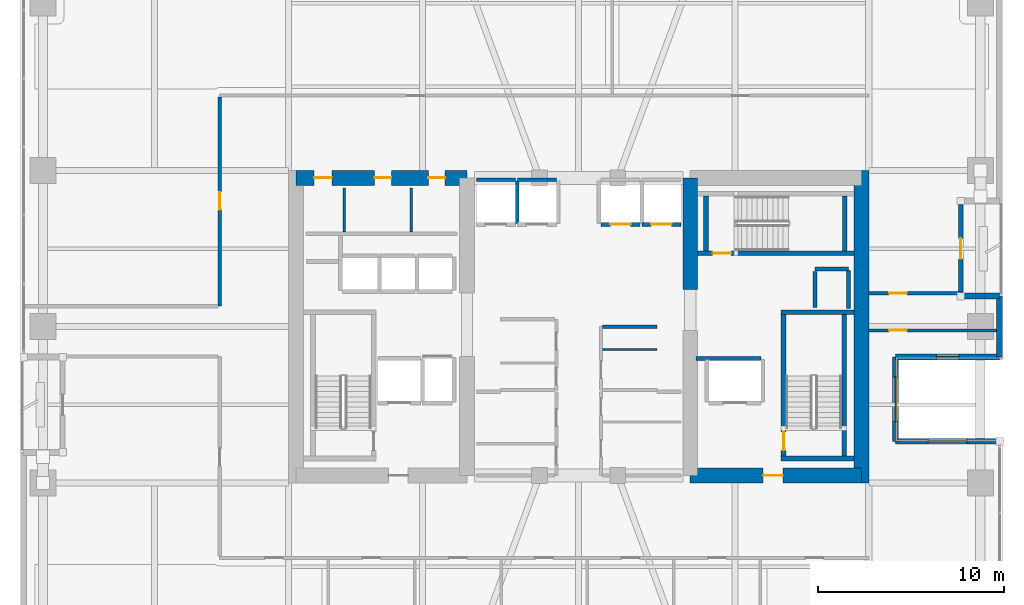
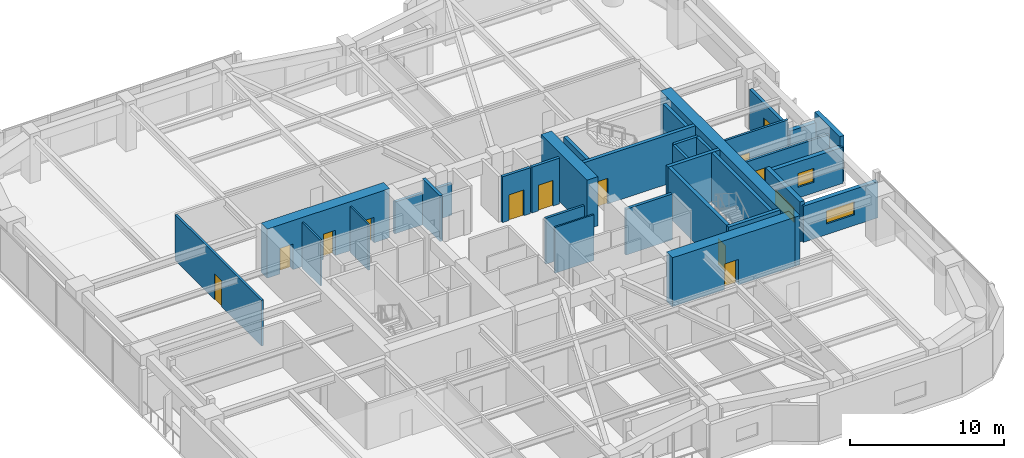
# One storey, part 20 of 24: 33 walls, 12 doors, 3 windows, 15 openings.
"""IFC4 building model written with IfcOpenShell, lengths in metres."""

from ifc_helpers import new_model, si_unit, direction, frame, frame_2d, origin, place, context, subcontext, project, spatial, rectangle, extrude, material, layer, layer_set, type_object, element, fill, save


model = new_model("IFC4")

# Units and contexts
model_context = context("Model", 3, precision=1e-05, world=origin(), true_north=direction((0.0, 1.0)))
body_context = subcontext(model_context, "Body", "Model", "MODEL_VIEW")
ifc_project = project(units=[si_unit("LENGTHUNIT", "METRE"), si_unit("AREAUNIT", "SQUARE_METRE"), si_unit("VOLUMEUNIT", "CUBIC_METRE"), si_unit("PLANEANGLEUNIT", "RADIAN"), si_unit("MASSUNIT", "GRAM", prefix="KILO")], contexts=[model_context])

# Site, building, storey
site_placement = place(None, origin())
site = spatial("IfcSite", under=ifc_project, at=site_placement, CompositionType="ELEMENT")
building_placement = place(site_placement, origin())
building = spatial("IfcBuilding", under=site, at=building_placement, Name="Kiyonajd Concourse Tower", CompositionType="ELEMENT")
storey_placement = place(building_placement, frame((0.0, 0.0, 129.89990234375)))
storey = spatial("IfcBuildingStorey", under=building, at=storey_placement, Name="L33", CompositionType="ELEMENT", Elevation=129.89990234375)

# Wall, openings, doors
ifc_material_1 = material(Name="Concrete C70/85", Category="concrete")
ifc_layer_1 = layer(ifc_material_1, 0.800048828125)
ifc_layer_set_1 = layer_set([ifc_layer_1], Name="Concrete C70/85")
wall_type_1 = type_object("IfcWallType", Name="WL-CORE-800", PredefinedType="SHEAR", material=ifc_layer_set_1)
wall_1_placement = place(storey_placement, frame((32.800048828125, 44.0, 0.0), z_axis=(0.0, 0.0, 1.0), x_axis=(1.0, 0.0, 0.0)))
wall_1 = element("IfcWall", 1, at=wall_1_placement, inside=storey, type_object=wall_type_1, Name="L33 West Core North Shear Wall", PredefinedType="SHEAR", context=body_context, shape_type="SweptSolid", body=[
    extrude(rectangle(XDim=9.199951171875, YDim=0.800048828125, at=frame_2d((4.60009765625, 0.0))), origin(), (0.0, 0.0, 1.0), 3.900146484375),
])
opening_1_placement = place(wall_1_placement, frame((0.97509765625, 0.0, 0.0)))
opening_1 = element("IfcOpeningElement", 2, at=opening_1_placement, cuts=wall_1, Name="Opening DI1", PredefinedType="OPENING", context=body_context, shape_type="SweptSolid", body=[
    extrude(rectangle(XDim=0.949951171875, YDim=2.0400390625, at=frame_2d((0.47509765625, 1.02001953125))), frame((0.0, 0.409912109375, 0.0), z_axis=(0.0, -1.0, 0.0), x_axis=(1.0, 0.0, 0.0)), (0.0, 0.0, 1.0), 0.820068359375),
])
opening_2_placement = place(wall_1_placement, frame((4.22509765625, 0.0, 0.0)))
opening_2 = element("IfcOpeningElement", 3, at=opening_2_placement, cuts=wall_1, Name="Opening DI2", PredefinedType="OPENING", context=body_context, shape_type="SweptSolid", body=[
    extrude(rectangle(XDim=0.89990234375, YDim=2.02001953125, at=frame_2d((0.449951171875, 1.010009765625))), frame((0.0, 0.409912109375, 0.0), z_axis=(0.0, -1.0, 0.0), x_axis=(1.0, 0.0, 0.0)), (0.0, 0.0, 1.0), 0.820068359375),
])
opening_3_placement = place(wall_1_placement, frame((7.125, 0.0, 0.0)))
opening_3 = element("IfcOpeningElement", 4, at=opening_3_placement, cuts=wall_1, Name="Opening DI2", PredefinedType="OPENING", context=body_context, shape_type="SweptSolid", body=[
    extrude(rectangle(XDim=0.89990234375, YDim=2.02001953125, at=frame_2d((0.449951171875, 1.010009765625))), frame((0.0, 0.409912109375, 0.0), z_axis=(0.0, -1.0, 0.0), x_axis=(1.0, 0.0, 0.0)), (0.0, 0.0, 1.0), 0.820068359375),
])
ifc_material_2 = material(Name="Natural Oak Acoustic Timber Veneer", Category="wood")
door_type_1 = type_object("IfcDoorType", Name="DR-INT-900", OperationType="NOTDEFINED", PredefinedType="DOOR", material=ifc_material_2)
door_1_placement = place(opening_2_placement, origin())
door_1 = element("IfcDoor", 5, at=door_1_placement, inside=storey, type_object=door_type_1, Name="L33 Male Restroom Door", OperationType="SINGLE_SWING_RIGHT", OverallHeight=2.02001953125, OverallWidth=0.89990234375, PredefinedType="DOOR", context=body_context, shape_type="SweptSolid", body=[
    extrude(rectangle(XDim=0.89990234375, YDim=2.02001953125, at=frame_2d((0.449951171875, 1.010009765625))), frame((0.0, 0.02490234375, 0.0), z_axis=(0.0, -1.0, 0.0), x_axis=(1.0, 0.0, 0.0)), (0.0, 0.0, 1.0), 0.050048828125),
])
fill(opening_2, door_1)
door_2_placement = place(opening_3_placement, origin())
door_2 = element("IfcDoor", 6, at=door_2_placement, inside=storey, type_object=door_type_1, Name="L33 Female Restroom Door", OperationType="SINGLE_SWING_LEFT", OverallHeight=2.02001953125, OverallWidth=0.89990234375, PredefinedType="DOOR", context=body_context, shape_type="SweptSolid", body=[
    extrude(rectangle(XDim=0.89990234375, YDim=2.02001953125, at=frame_2d((0.449951171875, 1.010009765625))), frame((0.0, 0.02490234375, 0.0), z_axis=(0.0, -1.0, 0.0), x_axis=(1.0, 0.0, 0.0)), (0.0, 0.0, 1.0), 0.050048828125),
])
fill(opening_3, door_2)
door_type_2 = type_object("IfcDoorType", Name="DR-INT-950", OperationType="NOTDEFINED", PredefinedType="DOOR", material=ifc_material_2)
door_3_placement = place(opening_1_placement, origin())
door_3 = element("IfcDoor", 7, at=door_3_placement, inside=storey, type_object=door_type_2, Name="L33 Single User Accessible WC Door", OperationType="SINGLE_SWING_LEFT", OverallHeight=2.0400390625, OverallWidth=0.949951171875, PredefinedType="DOOR", context=body_context, shape_type="SweptSolid", body=[
    extrude(rectangle(XDim=0.949951171875, YDim=2.0400390625, at=frame_2d((0.47509765625, 1.02001953125))), frame((0.0, 0.02490234375, 0.0), z_axis=(0.0, -1.0, 0.0), x_axis=(1.0, 0.0, 0.0)), (0.0, 0.0, 1.0), 0.050048828125),
])
fill(opening_1, door_3)

# Walls
wall_2_placement = place(storey_placement, frame((54.0, 38.0, 0.0), z_axis=(0.0, 0.0, 1.0), x_axis=(0.0, 1.0, 0.0)))
element("IfcWall", 8, at=wall_2_placement, inside=storey, type_object=wall_type_1, Name="L33 East Core Inner North Shear Wall", PredefinedType="SHEAR", context=body_context, shape_type="SweptSolid", body=[
    extrude(rectangle(XDim=6.0, YDim=0.800048828125, at=frame_2d((3.0, 0.0))), origin(), (0.0, 0.0, 1.0), 3.900146484375),
])
wall_3_placement = place(storey_placement, frame((63.199951171875, 27.60009765625, 0.0), z_axis=(0.0, 0.0, 1.0), x_axis=(0.0, 1.0, 0.0)))
element("IfcWall", 9, at=wall_3_placement, inside=storey, type_object=wall_type_1, Name="L33 East Core Outer Shear Wall", PredefinedType="SHEAR", context=body_context, shape_type="SweptSolid", body=[
    extrude(rectangle(XDim=16.7998046875, YDim=0.800048828125, at=frame_2d((8.39990234375, 0.0))), origin(), (0.0, 0.0, 1.0), 3.900146484375),
])

# Wall, opening, door
wall_4_placement = place(storey_placement, frame((54.0, 28.0, 0.0), z_axis=(0.0, 0.0, 1.0), x_axis=(1.0, 0.0, 0.0)))
wall_4 = element("IfcWall", 10, at=wall_4_placement, inside=storey, type_object=wall_type_1, Name="L33 East Core South Shear Wall", PredefinedType="SHEAR", context=body_context, shape_type="SweptSolid", body=[
    extrude(rectangle(XDim=9.199951171875, YDim=0.800048828125, at=frame_2d((4.60009765625, 0.0))), origin(), (0.0, 0.0, 1.0), 3.900146484375),
])
opening_4_placement = place(wall_4_placement, frame((3.925048828125, 0.0, 0.0)))
opening_4 = element("IfcOpeningElement", 11, at=opening_4_placement, cuts=wall_4, Name="Opening DF5", PredefinedType="OPENING", context=body_context, shape_type="SweptSolid", body=[
    extrude(rectangle(XDim=1.050048828125, YDim=2.0400390625, at=frame_2d((0.52490234375, 1.02001953125))), frame((0.0, 0.409912109375, 0.0), z_axis=(0.0, -1.0, 0.0), x_axis=(1.0, 0.0, 0.0)), (0.0, 0.0, 1.0), 0.820068359375),
])
ifc_material_3 = material(Name="Brushed Stainless Steel Cab Assembly", Category="steel")
door_type_3 = type_object("IfcDoorType", Name="DR-FD45-1050", OperationType="NOTDEFINED", PredefinedType="DOOR", material=ifc_material_3)
door_4_placement = place(opening_4_placement, origin())
door_4 = element("IfcDoor", 12, at=door_4_placement, inside=storey, type_object=door_type_3, Name="L33 Firefighting Lift Lobby E Smoke Door", OperationType="SINGLE_SWING_RIGHT", OverallHeight=2.0400390625, OverallWidth=1.050048828125, PredefinedType="DOOR", context=body_context, shape_type="SweptSolid", body=[
    extrude(rectangle(XDim=1.050048828125, YDim=2.0400390625, at=frame_2d((0.52490234375, 1.02001953125))), frame((0.0, 0.02490234375, 0.0), z_axis=(0.0, -1.0, 0.0), x_axis=(1.0, 0.0, 0.0)), (0.0, 0.0, 1.0), 0.050048828125),
])
fill(opening_4, door_4)

# Walls
ifc_material_4 = material(Name="Precast concrete C50/60", Category="concrete")
ifc_layer_2 = layer(ifc_material_4, 0.320068359375)
ifc_layer_set_2 = layer_set([ifc_layer_2], Name="Precast concrete C50/60")
wall_type_2 = type_object("IfcWallType", Name="WL-EXT-320", PredefinedType="SOLIDWALL", material=ifc_layer_set_2)
wall_5_placement = place(storey_placement, frame((68.5400390625, 37.639892578125, 0.0), z_axis=(0.0, 0.0, 1.0), x_axis=(1.0, 0.0, 0.0)))
element("IfcWall", 13, at=wall_5_placement, inside=storey, type_object=wall_type_2, Name="L33 Exterior Concrete Frame Wall 22", PredefinedType="SOLIDWALL", context=body_context, shape_type="SweptSolid", body=[
    extrude(rectangle(XDim=2.099853515625, YDim=0.320068359375, at=frame_2d((1.0498046875, 0.0))), origin(), (0.0, 0.0, 1.0), 2.875),
])
wall_6_placement = place(storey_placement, frame((70.639892578125, 37.639892578125, 0.0), z_axis=(0.0, 0.0, 1.0), x_axis=(0.0, -1.0, 0.0)))
element("IfcWall", 14, at=wall_6_placement, inside=storey, type_object=wall_type_2, Name="L33 Exterior Concrete Frame Wall 23", PredefinedType="SOLIDWALL", context=body_context, shape_type="SweptSolid", body=[
    extrude(rectangle(XDim=3.27978515625, YDim=0.320068359375, at=frame_2d((1.639892578125, 0.0))), origin(), (0.0, 0.0, 1.0), 3.64013671875),
])

# Wall, opening, window
wall_7_placement = place(storey_placement, frame((70.639892578125, 34.360107421875, 0.0), z_axis=(0.0, 0.0, 1.0), x_axis=(-1.0, 0.0, 0.0)))
wall_7 = element("IfcWall", 15, at=wall_7_placement, inside=storey, type_object=wall_type_2, Name="L33 Exterior Concrete Frame Wall 24", PredefinedType="SOLIDWALL", context=body_context, shape_type="SweptSolid", body=[
    extrude(rectangle(XDim=5.599853515625, YDim=0.320068359375, at=frame_2d((2.7998046875, 0.0))), origin(), (0.0, 0.0, 1.0), 2.875),
])
opening_5_placement = place(wall_7_placement, frame((2.199951171875, 0.0, 0.85009765625)))
opening_5 = element("IfcOpeningElement", 16, at=opening_5_placement, cuts=wall_7, Name="Opening WN3", PredefinedType="OPENING", context=body_context, shape_type="SweptSolid", body=[
    extrude(rectangle(XDim=1.199951171875, YDim=1.10009765625, at=frame_2d((0.60009765625, 0.550048828125))), frame((0.0, 0.169921875, 0.0), z_axis=(0.0, -1.0, 0.0), x_axis=(1.0, 0.0, 0.0)), (0.0, 0.0, 1.0), 0.340087890625),
])
ifc_material_5 = material(Name="Double Low-E Insulated Glass", Category="glass")
window_type_1 = type_object("IfcWindowType", Name="WN-VIS-1200x1100", PartitioningType="SINGLE_PANEL", PredefinedType="WINDOW", material=ifc_material_5)
window_1_placement = place(opening_5_placement, origin())
window_1 = element("IfcWindow", 17, at=window_1_placement, inside=storey, type_object=window_type_1, Name="L33 Modular Facade Vision Window 24", OverallHeight=1.10009765625, OverallWidth=1.199951171875, PartitioningType="SINGLE_PANEL", PredefinedType="WINDOW", context=body_context, shape_type="SweptSolid", body=[
    extrude(rectangle(XDim=1.199951171875, YDim=1.10009765625, at=frame_2d((0.60009765625, 0.550048828125))), frame((0.0, 0.030029296875, 0.0), z_axis=(0.0, -1.0, 0.0), x_axis=(1.0, 0.0, 0.0)), (0.0, 0.0, 1.0), 0.06005859375),
])
fill(opening_5, window_1)

wall_8_placement = place(storey_placement, frame((65.0400390625, 34.360107421875, 0.0), z_axis=(0.0, 0.0, 1.0), x_axis=(0.0, -1.0, 0.0)))
wall_8 = element("IfcWall", 18, at=wall_8_placement, inside=storey, type_object=wall_type_2, Name="L33 Exterior Concrete Frame Wall 25", PredefinedType="SOLIDWALL", context=body_context, shape_type="SweptSolid", body=[
    extrude(rectangle(XDim=4.52001953125, YDim=0.320068359375, at=frame_2d((2.260009765625, 0.0))), origin(), (0.0, 0.0, 1.0), 3.162109375),
])
opening_6_placement = place(wall_8_placement, frame((1.06005859375, 0.0, 0.85009765625)))
opening_6 = element("IfcOpeningElement", 19, at=opening_6_placement, cuts=wall_8, Name="Opening WN4", PredefinedType="OPENING", context=body_context, shape_type="SweptSolid", body=[
    extrude(rectangle(XDim=2.39990234375, YDim=1.14990234375, at=frame_2d((1.199951171875, 0.574951171875))), frame((0.0, 0.169921875, 0.0), z_axis=(0.0, -1.0, 0.0), x_axis=(1.0, 0.0, 0.0)), (0.0, 0.0, 1.0), 0.340087890625),
])
window_type_2 = type_object("IfcWindowType", Name="WN-VIS-2400x1150", PartitioningType="SINGLE_PANEL", PredefinedType="WINDOW", material=ifc_material_5)
window_2_placement = place(opening_6_placement, origin())
window_2 = element("IfcWindow", 20, at=window_2_placement, inside=storey, type_object=window_type_2, Name="L33 Modular Facade Vision Window 25", OverallHeight=1.14990234375, OverallWidth=2.39990234375, PartitioningType="SINGLE_PANEL", PredefinedType="WINDOW", context=body_context, shape_type="SweptSolid", body=[
    extrude(rectangle(XDim=2.39990234375, YDim=1.14990234375, at=frame_2d((1.199951171875, 0.574951171875))), frame((0.0, 0.030029296875, 0.0), z_axis=(0.0, -1.0, 0.0), x_axis=(1.0, 0.0, 0.0)), (0.0, 0.0, 1.0), 0.06005859375),
])
fill(opening_6, window_2)

wall_9_placement = place(storey_placement, frame((65.0400390625, 29.840087890625, 0.0), z_axis=(0.0, 0.0, 1.0), x_axis=(1.0, 0.0, 0.0)))
wall_9 = element("IfcWall", 21, at=wall_9_placement, inside=storey, type_object=wall_type_2, Name="L33 Exterior Concrete Frame Wall 26", PredefinedType="SOLIDWALL", context=body_context, shape_type="SweptSolid", body=[
    extrude(rectangle(XDim=5.599853515625, YDim=0.320068359375, at=frame_2d((2.7998046875, 0.0))), origin(), (0.0, 0.0, 1.0), 2.875),
])
opening_7_placement = place(wall_9_placement, frame((1.75, 0.0, 0.85009765625)))
opening_7 = element("IfcOpeningElement", 22, at=opening_7_placement, cuts=wall_9, Name="Opening WN5", PredefinedType="OPENING", context=body_context, shape_type="SweptSolid", body=[
    extrude(rectangle(XDim=2.10009765625, YDim=1.050048828125, at=frame_2d((1.050048828125, 0.52490234375))), frame((0.0, 0.169921875, 0.0), z_axis=(0.0, -1.0, 0.0), x_axis=(1.0, 0.0, 0.0)), (0.0, 0.0, 1.0), 0.340087890625),
])
window_type_3 = type_object("IfcWindowType", Name="WN-VIS-2100x1050", PartitioningType="SINGLE_PANEL", PredefinedType="WINDOW", material=ifc_material_5)
window_3_placement = place(opening_7_placement, origin())
window_3 = element("IfcWindow", 23, at=window_3_placement, inside=storey, type_object=window_type_3, Name="L33 Modular Facade Vision Window 26", OverallHeight=1.050048828125, OverallWidth=2.10009765625, PartitioningType="SINGLE_PANEL", PredefinedType="WINDOW", context=body_context, shape_type="SweptSolid", body=[
    extrude(rectangle(XDim=2.10009765625, YDim=1.050048828125, at=frame_2d((1.050048828125, 0.52490234375))), frame((0.0, 0.030029296875, 0.0), z_axis=(0.0, -1.0, 0.0), x_axis=(1.0, 0.0, 0.0)), (0.0, 0.0, 1.0), 0.06005859375),
])
fill(opening_7, window_3)

# Wall, opening, door
ifc_layer_3 = layer(ifc_material_4, 0.239990234375)
ifc_layer_set_3 = layer_set([ifc_layer_3], Name="Precast concrete C50/60")
wall_type_3 = type_object("IfcWallType", Name="WL-LOG-240", PredefinedType="SOLIDWALL", material=ifc_layer_set_3)
wall_10_placement = place(storey_placement, frame((68.5400390625, 42.56494140625, 0.0), z_axis=(0.0, 0.0, 1.0), x_axis=(0.0, -1.0, 0.0)))
wall_10 = element("IfcWall", 24, at=wall_10_placement, inside=storey, type_object=wall_type_3, Name="L33 Recessed Loggia Thermal Wall LOG-E", PredefinedType="SOLIDWALL", context=body_context, shape_type="SweptSolid", body=[
    extrude(rectangle(XDim=4.72998046875, YDim=0.239990234375, at=frame_2d((2.364990234375, 0.0))), origin(), (0.0, 0.0, 1.0), 3.162109375),
])
opening_8_placement = place(wall_10_placement, frame((1.81494140625, 0.0, 0.0)))
opening_8 = element("IfcOpeningElement", 25, at=opening_8_placement, cuts=wall_10, Name="Opening DL2", PredefinedType="OPENING", context=body_context, shape_type="SweptSolid", body=[
    extrude(rectangle(XDim=1.10009765625, YDim=2.0400390625, at=frame_2d((0.550048828125, 1.02001953125))), frame((0.0, 0.1298828125, 0.0), z_axis=(0.0, -1.0, 0.0), x_axis=(1.0, 0.0, 0.0)), (0.0, 0.0, 1.0), 0.260009765625),
])
ifc_material_6 = material(Name="Thermally Broken Anodised Aluminium", Category="aluminium")
door_type_4 = type_object("IfcDoorType", Name="DR-LOG-1100", OperationType="NOTDEFINED", PredefinedType="DOOR", material=ifc_material_6)
door_5_placement = place(opening_8_placement, origin())
door_5 = element("IfcDoor", 26, at=door_5_placement, inside=storey, type_object=door_type_4, Name="L33 Engawa Loggia Access Door LOG-E", OperationType="SINGLE_SWING_LEFT", OverallHeight=2.0400390625, OverallWidth=1.10009765625, PredefinedType="DOOR", context=body_context, shape_type="SweptSolid", body=[
    extrude(rectangle(XDim=1.10009765625, YDim=2.0400390625, at=frame_2d((0.550048828125, 1.02001953125))), frame((0.0, 0.02490234375, 0.0), z_axis=(0.0, -1.0, 0.0), x_axis=(1.0, 0.0, 0.0)), (0.0, 0.0, 1.0), 0.050048828125),
])
fill(opening_8, door_5)

# Walls
ifc_material_7 = material(Name="Gypsum Board on Cold-Formed Steel Stud", Category="steel")
ifc_layer_4 = layer(ifc_material_7, 0.125)
ifc_layer_set_4 = layer_set([ifc_layer_4], Name="Gypsum Board on Cold-Formed Steel Stud")
wall_type_4 = type_object("IfcWallType", Name="WL-PART-125", PredefinedType="PARTITIONING", material=ifc_layer_set_4)
for number, where, z_axis, x_axis, name in (
    (27, (35.39990234375, 41.094970703125, 0.0), (0.0, 0.0, 1.0), (0.0, 1.0, 0.0), "L33 Interior Partition Wall"),
    (28, (39.0, 41.094970703125, 0.0), (0.0, 0.0, 1.0), (0.0, 1.0, 0.0), "L33 Interior Partition Wall"),
):
    element("IfcWall", number, at=place(storey_placement, frame(where, z_axis=z_axis, x_axis=x_axis)), inside=storey, type_object=wall_type_4, Name=name, PredefinedType="PARTITIONING", context=body_context, shape_type="SweptSolid", body=[
        extrude(rectangle(XDim=2.35498046875, YDim=0.125, at=frame_2d((1.177490234375, 0.0))), origin(), (0.0, 0.0, 1.0), 3.64013671875),
    ])
wall_11_placement = place(storey_placement, frame((49.287109375, 34.77587890625, 0.0), z_axis=(0.0, 0.0, 1.0), x_axis=(1.0, 0.0, 0.0)))
element("IfcWall", 29, at=wall_11_placement, inside=storey, type_object=wall_type_4, Name="L33 Interior Partition Wall", PredefinedType="PARTITIONING", context=body_context, shape_type="SweptSolid", body=[
    extrude(rectangle(XDim=2.912841796875, YDim=0.125, at=frame_2d((1.45654296875, 0.0))), origin(), (0.0, 0.0, 1.0), 3.64013671875),
])
ifc_layer_5 = layer(ifc_material_7, 0.2099609375)
ifc_layer_set_5 = layer_set([ifc_layer_5], Name="Gypsum Board on Cold-Formed Steel Stud")
wall_type_5 = type_object("IfcWallType", Name="WL-SHAFT-210", PredefinedType="PARTITIONING", material=ifc_layer_set_5)
wall_12_placement = place(storey_placement, frame((60.719970703125, 39.10009765625, 0.0), z_axis=(0.0, 0.0, 1.0), x_axis=(1.0, 0.0, 0.0)))
element("IfcWall", 30, at=wall_12_placement, inside=storey, type_object=wall_type_5, Name="L33 Shaft Enclosure Wall", PredefinedType="PARTITIONING", context=body_context, shape_type="SweptSolid", body=[
    extrude(rectangle(XDim=1.800048828125, YDim=0.2099609375, at=frame_2d((0.89990234375, 0.0))), origin(), (0.0, 0.0, 1.0), 3.64013671875),
])
wall_13_placement = place(storey_placement, frame((60.699951171875, 37.02001953125, 0.0), z_axis=(0.0, 0.0, 1.0), x_axis=(0.0, 1.0, 0.0)))
element("IfcWall", 31, at=wall_13_placement, inside=storey, type_object=wall_type_5, Name="L33 Shaft Enclosure Wall", PredefinedType="PARTITIONING", context=body_context, shape_type="SweptSolid", body=[
    extrude(rectangle(XDim=1.9599609375, YDim=0.2099609375, at=frame_2d((0.97998046875, 0.0))), origin(), (0.0, 0.0, 1.0), 3.64013671875),
])
wall_14_placement = place(storey_placement, frame((62.5, 36.97998046875, 0.0), z_axis=(0.0, 0.0, 1.0), x_axis=(0.0, 1.0, 0.0)))
element("IfcWall", 32, at=wall_14_placement, inside=storey, type_object=wall_type_5, Name="L33 Shaft Enclosure Wall", PredefinedType="PARTITIONING", context=body_context, shape_type="SweptSolid", body=[
    extrude(rectangle(XDim=2.0400390625, YDim=0.2099609375, at=frame_2d((1.02001953125, 0.0))), origin(), (0.0, 0.0, 1.0), 3.64013671875),
])
wall_15_placement = place(storey_placement, frame((54.320068359375, 34.300048828125, 0.0), z_axis=(0.0, 0.0, 1.0), x_axis=(1.0, 0.0, 0.0)))
element("IfcWall", 33, at=wall_15_placement, inside=storey, type_object=wall_type_5, Name="L33 Shaft Enclosure Wall", PredefinedType="PARTITIONING", context=body_context, shape_type="SweptSolid", body=[
    extrude(rectangle(XDim=3.47998046875, YDim=0.2099609375, at=frame_2d((1.739990234375, 0.0))), origin(), (0.0, 0.0, 1.0), 3.64013671875),
])
wall_16_placement = place(storey_placement, frame((42.5, 43.89990234375, 0.0), z_axis=(0.0, 0.0, 1.0), x_axis=(1.0, 0.0, 0.0)))
element("IfcWall", 34, at=wall_16_placement, inside=storey, type_object=wall_type_5, Name="L33 Shaft Enclosure Wall", PredefinedType="PARTITIONING", context=body_context, shape_type="SweptSolid", body=[
    extrude(rectangle(XDim=2.10009765625, YDim=0.2099609375, at=frame_2d((1.050048828125, 0.0))), origin(), (0.0, 0.0, 1.0), 2.525146484375),
])
wall_17_placement = place(storey_placement, frame((44.699951171875, 41.56005859375, 0.0), z_axis=(0.0, 0.0, 1.0), x_axis=(0.0, 1.0, 0.0)))
element("IfcWall", 35, at=wall_17_placement, inside=storey, type_object=wall_type_5, Name="L33 Shaft Enclosure Wall", PredefinedType="PARTITIONING", context=body_context, shape_type="SweptSolid", body=[
    extrude(rectangle(XDim=2.280029296875, YDim=0.2099609375, at=frame_2d((1.14013671875, 0.0))), origin(), (0.0, 0.0, 1.0), 3.64013671875),
])
wall_18_placement = place(storey_placement, frame((44.699951171875, 43.89990234375, 0.0), z_axis=(0.0, 0.0, 1.0), x_axis=(1.0, 0.0, 0.0)))
element("IfcWall", 36, at=wall_18_placement, inside=storey, type_object=wall_type_5, Name="L33 Shaft Enclosure Wall", PredefinedType="PARTITIONING", context=body_context, shape_type="SweptSolid", body=[
    extrude(rectangle(XDim=2.10009765625, YDim=0.2099609375, at=frame_2d((1.050048828125, 0.0))), origin(), (0.0, 0.0, 1.0), 2.525146484375),
])

# Wall, opening, door
wall_19_placement = place(storey_placement, frame((49.199951171875, 41.5, 0.0), z_axis=(0.0, 0.0, 1.0), x_axis=(1.0, 0.0, 0.0)))
wall_19 = element("IfcWall", 37, at=wall_19_placement, inside=storey, type_object=wall_type_5, Name="L33 Shaft Enclosure Wall", PredefinedType="PARTITIONING", context=body_context, shape_type="SweptSolid", body=[
    extrude(rectangle(XDim=2.10009765625, YDim=0.2099609375, at=frame_2d((1.050048828125, 0.0))), origin(), (0.0, 0.0, 1.0), 3.64013671875),
])
opening_9_placement = place(wall_19_placement, frame((0.5, 0.0, 0.0)))
opening_9 = element("IfcOpeningElement", 38, at=opening_9_placement, cuts=wall_19, Name="Opening LD1", PredefinedType="OPENING", context=body_context, shape_type="SweptSolid", body=[
    extrude(rectangle(XDim=1.10009765625, YDim=2.0400390625, at=frame_2d((0.550048828125, 1.02001953125))), frame((0.0, 0.114990234375, 0.0), z_axis=(0.0, -1.0, 0.0), x_axis=(1.0, 0.0, 0.0)), (0.0, 0.0, 1.0), 0.22998046875),
])
door_type_5 = type_object("IfcDoorType", Name="DR-LD-1100", OperationType="DOUBLE_DOOR_SLIDING", PredefinedType="DOOR", material=ifc_material_3)
door_6_placement = place(opening_9_placement, origin())
door_6 = element("IfcDoor", 39, at=door_6_placement, inside=storey, type_object=door_type_5, Name="L33 Lift PL-M3 Sliding Landing Door", OperationType="DOUBLE_DOOR_SLIDING", OverallHeight=2.0400390625, OverallWidth=1.10009765625, PredefinedType="DOOR", context=body_context, shape_type="SweptSolid", body=[
    extrude(rectangle(XDim=1.10009765625, YDim=2.0400390625, at=frame_2d((0.550048828125, 1.02001953125))), frame((0.0, 0.02490234375, 0.0), z_axis=(0.0, -1.0, 0.0), x_axis=(1.0, 0.0, 0.0)), (0.0, 0.0, 1.0), 0.050048828125),
])
fill(opening_9, door_6)

wall_20_placement = place(storey_placement, frame((51.39990234375, 41.5, 0.0), z_axis=(0.0, 0.0, 1.0), x_axis=(1.0, 0.0, 0.0)))
wall_20 = element("IfcWall", 40, at=wall_20_placement, inside=storey, type_object=wall_type_5, Name="L33 Shaft Enclosure Wall", PredefinedType="PARTITIONING", context=body_context, shape_type="SweptSolid", body=[
    extrude(rectangle(XDim=2.10009765625, YDim=0.2099609375, at=frame_2d((1.050048828125, 0.0))), origin(), (0.0, 0.0, 1.0), 3.64013671875),
])
opening_10_placement = place(wall_20_placement, frame((0.5, 0.0, 0.0)))
opening_10 = element("IfcOpeningElement", 41, at=opening_10_placement, cuts=wall_20, Name="Opening LD1", PredefinedType="OPENING", context=body_context, shape_type="SweptSolid", body=[
    extrude(rectangle(XDim=1.10009765625, YDim=2.0400390625, at=frame_2d((0.550048828125, 1.02001953125))), frame((0.0, 0.114990234375, 0.0), z_axis=(0.0, -1.0, 0.0), x_axis=(1.0, 0.0, 0.0)), (0.0, 0.0, 1.0), 0.22998046875),
])
door_7_placement = place(opening_10_placement, origin())
door_7 = element("IfcDoor", 42, at=door_7_placement, inside=storey, type_object=door_type_5, Name="L33 Lift PL-M4 Sliding Landing Door", OperationType="DOUBLE_DOOR_SLIDING", OverallHeight=2.0400390625, OverallWidth=1.10009765625, PredefinedType="DOOR", context=body_context, shape_type="SweptSolid", body=[
    extrude(rectangle(XDim=1.10009765625, YDim=2.0400390625, at=frame_2d((0.550048828125, 1.02001953125))), frame((0.0, 0.02490234375, 0.0), z_axis=(0.0, -1.0, 0.0), x_axis=(1.0, 0.0, 0.0)), (0.0, 0.0, 1.0), 0.050048828125),
])
fill(opening_10, door_7)

# Wall
ifc_layer_6 = layer(ifc_material_7, 0.169921875)
ifc_layer_set_6 = layer_set([ifc_layer_6], Name="Gypsum Board on Cold-Formed Steel Stud")
wall_type_6 = type_object("IfcWallType", Name="WL-SMK-170", PredefinedType="PARTITIONING", material=ifc_layer_set_6)
wall_21_placement = place(storey_placement, frame((49.287109375, 36.0, 0.0), z_axis=(0.0, 0.0, 1.0), x_axis=(1.0, 0.0, 0.0)))
element("IfcWall", 43, at=wall_21_placement, inside=storey, type_object=wall_type_6, Name="L33 Interior Partition Wall", PredefinedType="PARTITIONING", context=body_context, shape_type="SweptSolid", body=[
    extrude(rectangle(XDim=2.912841796875, YDim=0.169921875, at=frame_2d((1.45654296875, 0.0))), origin(), (0.0, 0.0, 1.0), 3.64013671875),
])

# Wall, opening, door
wall_22_placement = place(storey_placement, frame((28.699951171875, 37.10009765625, 0.0), z_axis=(0.0, 0.0, 1.0), x_axis=(0.0, 1.0, 0.0)))
wall_22 = element("IfcWall", 44, at=wall_22_placement, inside=storey, type_object=wall_type_6, Name="L33 Interior Partition Wall", PredefinedType="PARTITIONING", context=body_context, shape_type="SweptSolid", body=[
    extrude(rectangle(XDim=11.242919921875, YDim=0.169921875, at=frame_2d((5.62158203125, 0.0))), origin(), (0.0, 0.0, 1.0), 3.64013671875),
])
opening_11_placement = place(wall_22_placement, frame((5.18994140625, 0.0, 0.0)))
opening_11 = element("IfcOpeningElement", 45, at=opening_11_placement, cuts=wall_22, Name="Opening DI1", PredefinedType="OPENING", context=body_context, shape_type="SweptSolid", body=[
    extrude(rectangle(XDim=0.949951171875, YDim=2.0400390625, at=frame_2d((0.47509765625, 1.02001953125))), frame((0.0, 0.094970703125, 0.0), z_axis=(0.0, -1.0, 0.0), x_axis=(1.0, 0.0, 0.0)), (0.0, 0.0, 1.0), 0.18994140625),
])
door_8_placement = place(opening_11_placement, origin())
door_8 = element("IfcDoor", 46, at=door_8_placement, inside=storey, type_object=door_type_2, Name="L33 Interior Door", OperationType="SINGLE_SWING_LEFT", OverallHeight=2.0400390625, OverallWidth=0.949951171875, PredefinedType="DOOR", context=body_context, shape_type="SweptSolid", body=[
    extrude(rectangle(XDim=0.949951171875, YDim=2.0400390625, at=frame_2d((0.47509765625, 1.02001953125))), frame((0.0, 0.02490234375, 0.0), z_axis=(0.0, -1.0, 0.0), x_axis=(1.0, 0.0, 0.0)), (0.0, 0.0, 1.0), 0.050048828125),
])
fill(opening_11, door_8)

wall_23_placement = place(storey_placement, frame((63.60009765625, 35.800048828125, 0.0), z_axis=(0.0, 0.0, 1.0), x_axis=(1.0, 0.0, 0.0)))
wall_23 = element("IfcWall", 47, at=wall_23_placement, inside=storey, type_object=wall_type_6, Name="L33 Interior Partition Wall", PredefinedType="PARTITIONING", context=body_context, shape_type="SweptSolid", body=[
    extrude(rectangle(XDim=6.885009765625, YDim=0.169921875, at=frame_2d((3.4423828125, 0.0))), origin(), (0.0, 0.0, 1.0), 3.003173828125),
])
opening_12_placement = place(wall_23_placement, frame((1.10009765625, 0.0, 0.0)))
opening_12 = element("IfcOpeningElement", 48, at=opening_12_placement, cuts=wall_23, Name="Opening DI1", PredefinedType="OPENING", context=body_context, shape_type="SweptSolid", body=[
    extrude(rectangle(XDim=0.949951171875, YDim=2.0400390625, at=frame_2d((0.47509765625, 1.02001953125))), frame((0.0, 0.094970703125, 0.0), z_axis=(0.0, -1.0, 0.0), x_axis=(1.0, 0.0, 0.0)), (0.0, 0.0, 1.0), 0.18994140625),
])
door_9_placement = place(opening_12_placement, origin())
door_9 = element("IfcDoor", 49, at=door_9_placement, inside=storey, type_object=door_type_2, Name="L33 Interior Door", OperationType="SINGLE_SWING_RIGHT", OverallHeight=2.0400390625, OverallWidth=0.949951171875, PredefinedType="DOOR", context=body_context, shape_type="SweptSolid", body=[
    extrude(rectangle(XDim=0.949951171875, YDim=2.0400390625, at=frame_2d((0.47509765625, 1.02001953125))), frame((0.0, 0.02490234375, 0.0), z_axis=(0.0, -1.0, 0.0), x_axis=(1.0, 0.0, 0.0)), (0.0, 0.0, 1.0), 0.050048828125),
])
fill(opening_12, door_9)

wall_24_placement = place(storey_placement, frame((63.60009765625, 37.800048828125, 0.0), z_axis=(0.0, 0.0, 1.0), x_axis=(1.0, 0.0, 0.0)))
wall_24 = element("IfcWall", 50, at=wall_24_placement, inside=storey, type_object=wall_type_6, Name="L33 Interior Partition Wall", PredefinedType="PARTITIONING", context=body_context, shape_type="SweptSolid", body=[
    extrude(rectangle(XDim=4.93994140625, YDim=0.169921875, at=frame_2d((2.469970703125, 0.0))), origin(), (0.0, 0.0, 1.0), 3.64013671875),
])
opening_13_placement = place(wall_24_placement, frame((1.10009765625, 0.0, 0.0)))
opening_13 = element("IfcOpeningElement", 51, at=opening_13_placement, cuts=wall_24, Name="Opening DI1", PredefinedType="OPENING", context=body_context, shape_type="SweptSolid", body=[
    extrude(rectangle(XDim=0.949951171875, YDim=2.0400390625, at=frame_2d((0.47509765625, 1.02001953125))), frame((0.0, 0.094970703125, 0.0), z_axis=(0.0, -1.0, 0.0), x_axis=(1.0, 0.0, 0.0)), (0.0, 0.0, 1.0), 0.18994140625),
])
door_10_placement = place(opening_13_placement, origin())
door_10 = element("IfcDoor", 52, at=door_10_placement, inside=storey, type_object=door_type_2, Name="L33 Interior Door", OperationType="SINGLE_SWING_LEFT", OverallHeight=2.0400390625, OverallWidth=0.949951171875, PredefinedType="DOOR", context=body_context, shape_type="SweptSolid", body=[
    extrude(rectangle(XDim=0.949951171875, YDim=2.0400390625, at=frame_2d((0.47509765625, 1.02001953125))), frame((0.0, 0.02490234375, 0.0), z_axis=(0.0, -1.0, 0.0), x_axis=(1.0, 0.0, 0.0)), (0.0, 0.0, 1.0), 0.050048828125),
])
fill(opening_13, door_10)

# Walls
ifc_material_8 = material(Name="Concrete C50/60", Category="concrete")
ifc_layer_7 = layer(ifc_material_8, 0.260009765625)
ifc_layer_set_7 = layer_set([ifc_layer_7], Name="Concrete C50/60")
wall_type_7 = type_object("IfcWallType", Name="WL-STAIR-260", PredefinedType="SHEAR", material=ifc_layer_set_7)
for number, where, z_axis, x_axis, name in (
    (53, (58.889892578125, 28.919921875, 0.0), (0.0, 0.0, 1.0), (1.0, 0.0, 0.0), "L33 Stair ST2 Structural South Wall"),
    (54, (58.889892578125, 36.780029296875, 0.0), (0.0, 0.0, 1.0), (1.0, 0.0, 0.0), "L33 Stair ST2 Structural North Wall"),
):
    element("IfcWall", number, at=place(storey_placement, frame(where, z_axis=z_axis, x_axis=x_axis)), inside=storey, type_object=wall_type_7, Name=name, PredefinedType="SHEAR", context=body_context, shape_type="SweptSolid", body=[
        extrude(rectangle(XDim=3.91015625, YDim=0.260009765625, at=frame_2d((1.955078125, 0.0))), origin(), (0.0, 0.0, 1.0), 3.900146484375),
    ])

# Wall, opening, door
wall_25_placement = place(storey_placement, frame((59.02001953125, 29.050048828125, 0.0), z_axis=(0.0, 0.0, 1.0), x_axis=(0.0, 1.0, 0.0)))
wall_25 = element("IfcWall", 55, at=wall_25_placement, inside=storey, type_object=wall_type_7, Name="L33 Stair ST2 Structural West Wall", PredefinedType="SHEAR", context=body_context, shape_type="SweptSolid", body=[
    extrude(rectangle(XDim=7.599853515625, YDim=0.260009765625, at=frame_2d((3.7998046875, 0.0))), origin(), (0.0, 0.0, 1.0), 3.900146484375),
])
opening_14_placement = place(wall_25_placement, frame((0.300048828125, 0.0, 0.0)))
opening_14 = element("IfcOpeningElement", 56, at=opening_14_placement, cuts=wall_25, Name="Opening DF1", PredefinedType="OPENING", context=body_context, shape_type="SweptSolid", body=[
    extrude(rectangle(XDim=1.0, YDim=2.0400390625, at=frame_2d((0.5, 1.02001953125))), frame((0.0, 0.139892578125, 0.0), z_axis=(0.0, -1.0, 0.0), x_axis=(1.0, 0.0, 0.0)), (0.0, 0.0, 1.0), 0.280029296875),
])
door_type_6 = type_object("IfcDoorType", Name="DR-FD90-1000", OperationType="NOTDEFINED", PredefinedType="DOOR", material=ifc_material_3)
door_11_placement = place(opening_14_placement, origin())
door_11 = element("IfcDoor", 57, at=door_11_placement, inside=storey, type_object=door_type_6, Name="L33 Stair ST2 FSAE Door", OperationType="SINGLE_SWING_RIGHT", OverallHeight=2.0400390625, OverallWidth=1.0, PredefinedType="DOOR", context=body_context, shape_type="SweptSolid", body=[
    extrude(rectangle(XDim=1.0, YDim=2.0400390625, at=frame_2d((0.5, 1.02001953125))), frame((0.0, 0.02490234375, 0.0), z_axis=(0.0, -1.0, 0.0), x_axis=(1.0, 0.0, 0.0)), (0.0, 0.0, 1.0), 0.050048828125),
])
fill(opening_14, door_11)

# Wall
wall_26_placement = place(storey_placement, frame((62.280029296875, 29.050048828125, 0.0), z_axis=(0.0, 0.0, 1.0), x_axis=(0.0, 1.0, 0.0)))
element("IfcWall", 58, at=wall_26_placement, inside=storey, type_object=wall_type_7, Name="L33 Stair ST2 Structural East Wall", PredefinedType="SHEAR", context=body_context, shape_type="SweptSolid", body=[
    extrude(rectangle(XDim=7.599853515625, YDim=0.260009765625, at=frame_2d((3.7998046875, 0.0))), origin(), (0.0, 0.0, 1.0), 3.900146484375),
])

# Wall, opening, door
wall_27_placement = place(storey_placement, frame((54.39990234375, 39.949951171875, 0.0), z_axis=(0.0, 0.0, 1.0), x_axis=(1.0, 0.0, 0.0)))
wall_27 = element("IfcWall", 59, at=wall_27_placement, inside=storey, type_object=wall_type_7, Name="L33 Stair ST3 Structural South Wall", PredefinedType="SHEAR", context=body_context, shape_type="SweptSolid", body=[
    extrude(rectangle(XDim=8.400146484375, YDim=0.260009765625, at=frame_2d((4.2001953125, 0.0))), origin(), (0.0, 0.0, 1.0), 3.900146484375),
])
opening_15_placement = place(wall_27_placement, frame((0.800048828125, 0.0, 0.0)))
opening_15 = element("IfcOpeningElement", 60, at=opening_15_placement, cuts=wall_27, Name="Opening DF1", PredefinedType="OPENING", context=body_context, shape_type="SweptSolid", body=[
    extrude(rectangle(XDim=1.0, YDim=2.0400390625, at=frame_2d((0.5, 1.02001953125))), frame((0.0, 0.139892578125, 0.0), z_axis=(0.0, -1.0, 0.0), x_axis=(1.0, 0.0, 0.0)), (0.0, 0.0, 1.0), 0.280029296875),
])
door_12_placement = place(opening_15_placement, origin())
door_12 = element("IfcDoor", 61, at=door_12_placement, inside=storey, type_object=door_type_6, Name="L33 Stair ST3 Enclosure Door", OperationType="SINGLE_SWING_LEFT", OverallHeight=2.0400390625, OverallWidth=1.0, PredefinedType="DOOR", context=body_context, shape_type="SweptSolid", body=[
    extrude(rectangle(XDim=1.0, YDim=2.0400390625, at=frame_2d((0.5, 1.02001953125))), frame((0.0, 0.02490234375, 0.0), z_axis=(0.0, -1.0, 0.0), x_axis=(1.0, 0.0, 0.0)), (0.0, 0.0, 1.0), 0.050048828125),
])
fill(opening_15, door_12)

# Walls
for number, where, z_axis, x_axis, name in (
    (62, (54.85009765625, 40.080078125, 0.0), (0.0, 0.0, 1.0), (0.0, 1.0, 0.0), "L33 Stair ST3 Structural West Wall"),
    (63, (62.31005859375, 40.080078125, 0.0), (0.0, 0.0, 1.0), (0.0, 1.0, 0.0), "L33 Stair ST3 Structural East Wall"),
):
    element("IfcWall", number, at=place(storey_placement, frame(where, z_axis=z_axis, x_axis=x_axis)), inside=storey, type_object=wall_type_7, Name=name, PredefinedType="SHEAR", context=body_context, shape_type="SweptSolid", body=[
        extrude(rectangle(XDim=2.93994140625, YDim=0.260009765625, at=frame_2d((1.469970703125, 0.0))), origin(), (0.0, 0.0, 1.0), 3.900146484375),
    ])

save(model, "model.ifc")
